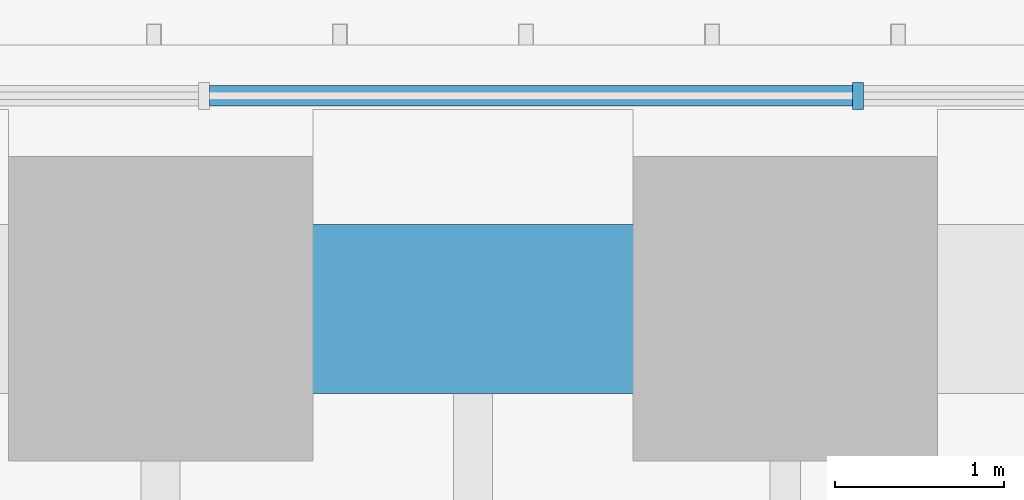
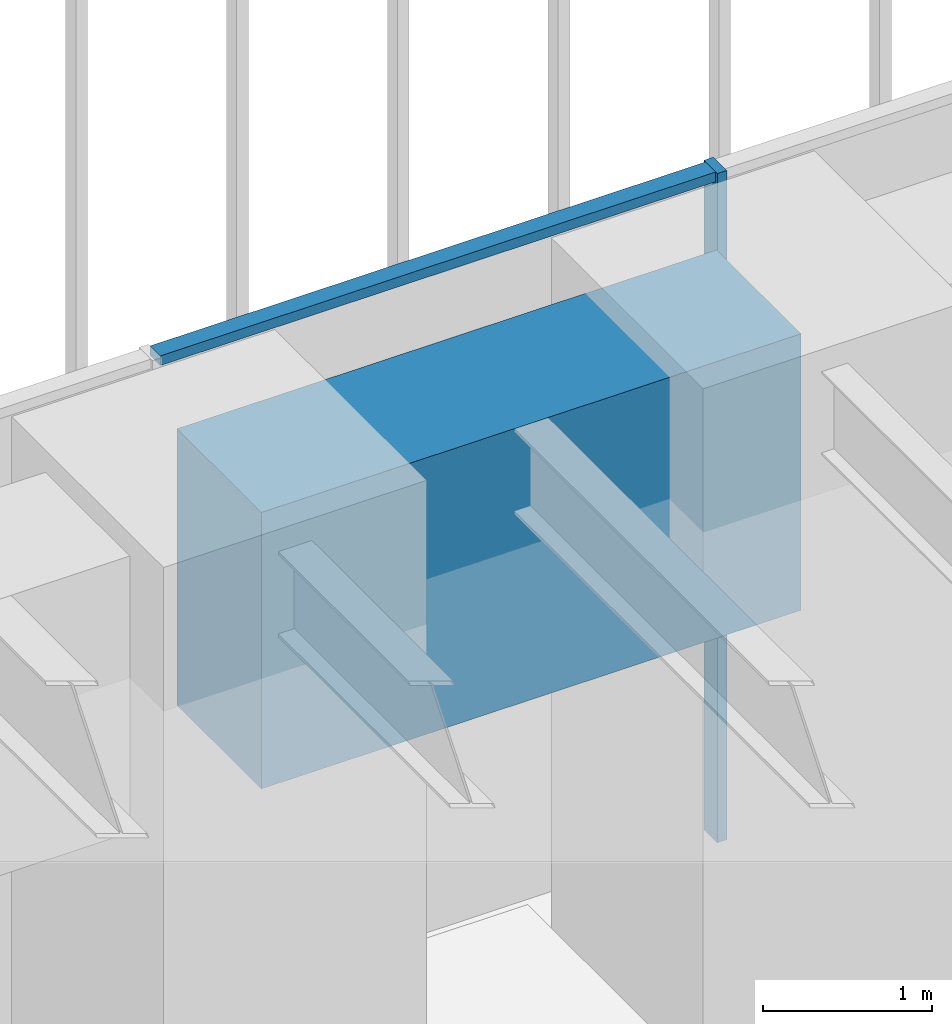
# One storey, part 205 of 228: 2 members, 1 beam, 1 element without a shape of its own.
"""IFC4 building model written with IfcOpenShell, lengths in metres."""

from ifc_helpers import new_model, si_unit, direction, frame, origin, origin_2d, place, context, subcontext, project, spatial, rectangle, extrude, material, material_profile, profile_set, type_object, element, aggregate, save


model = new_model("IFC4")

# Units and contexts
model_context = context("Model", 3, precision=1e-05, world=origin(), true_north=direction((0.0, 1.0)))
body_context = subcontext(model_context, "Body", "Model", "MODEL_VIEW")
ifc_project = project(units=[si_unit("LENGTHUNIT", "METRE"), si_unit("AREAUNIT", "SQUARE_METRE"), si_unit("VOLUMEUNIT", "CUBIC_METRE"), si_unit("PLANEANGLEUNIT", "RADIAN"), si_unit("MASSUNIT", "GRAM", prefix="KILO")], contexts=[model_context])

# Site, building, storey
site_placement = place(None, origin())
site = spatial("IfcSite", under=ifc_project, at=site_placement, CompositionType="ELEMENT")
building_placement = place(site_placement, origin())
building = spatial("IfcBuilding", under=site, at=building_placement, Name="Sandreach Pilgrim Tower", CompositionType="ELEMENT")
storey_placement = place(building_placement, frame((0.0, 0.0, 178.199951171875)))
storey = spatial("IfcBuildingStorey", under=building, at=storey_placement, Name="L44", CompositionType="ELEMENT", Elevation=178.199951171875)

# Curtain wall, members
ifc_material_1 = material(Name="Aluminium framed curtain wall", Category="aluminium")
curtain_wall_type = type_object("IfcCurtainWallType", Name="Upper hotel tower curtain wall", PredefinedType="NOTDEFINED", material=ifc_material_1)
curtain_wall_placement = place(storey_placement, origin())
curtain_wall = element("IfcCurtainWall", 1, at=curtain_wall_placement, inside=storey, type_object=curtain_wall_type, Name="CW-3 L44 N", PredefinedType="NOTDEFINED")
ifc_material_2 = material(Name="Aluminium extrusion", Category="aluminium")
ifc_material_profile_1 = material_profile(ifc_material_2, rectangle(XDim=0.06494140625, YDim=0.159912109375, at=origin_2d()), Name="CW-3M 65X160")
ifc_profile_set_1 = profile_set([ifc_material_profile_1], Name="Aluminium extrusion")
member_type_1 = type_object("IfcMemberType", Name="CW-3 mullion", PredefinedType="MULLION", material=ifc_profile_set_1)
member_1_placement = place(storey_placement, frame((9.6611328125, 21.16015625, 0.0), z_axis=(0.0, 0.0, 1.0), x_axis=(1.0, 0.0, 0.0)))
member_1 = element("IfcMember", 2, at=member_1_placement, type_object=member_type_1, Name="CW-3 mullion 8", PredefinedType="MULLION", context=body_context, shape_type="SweptSolid", body=[
    extrude(rectangle(XDim=0.06494140625, YDim=0.159912109375, at=origin_2d()), origin(), (0.0, 0.0, 1.0), 4.840087890625),
])
ifc_material_3 = material(Name="Aluminium extrusion", Category="aluminium")
ifc_material_profile_2 = material_profile(ifc_material_3, rectangle(XDim=0.1201171875, YDim=0.070068359375, at=origin_2d()), Name="CW-3T 120X70")
ifc_profile_set_2 = profile_set([ifc_material_profile_2], Name="Aluminium extrusion")
member_type_2 = type_object("IfcMemberType", Name="CW-3 transom", PredefinedType="USERDEFINED", material=ifc_profile_set_2)
member_2_placement = place(storey_placement, frame((5.8291015625, 21.16015625, 4.804931640625), z_axis=(1.0, 0.0, 0.0), x_axis=(0.0, 1.0, 0.0)))
member_2 = element("IfcMember", 3, at=member_2_placement, type_object=member_type_2, Name="CW-3 head transom 7", ObjectType="TRANSOM", PredefinedType="USERDEFINED", context=body_context, shape_type="SweptSolid", body=[
    extrude(rectangle(XDim=0.1201171875, YDim=0.070068359375, at=origin_2d()), origin(), (0.0, 0.0, 1.0), 3.799560546875),
])
aggregate(curtain_wall, [member_1, member_2])

# Beam
ifc_material_4 = material(Name="Concrete 10000 psi", Category="concrete")
ifc_material_profile_3 = material_profile(ifc_material_4, rectangle(XDim=1.0, YDim=2.0, at=origin_2d()), Name="RC1000X2000")
ifc_profile_set_3 = profile_set([ifc_material_profile_3], Name="Concrete 10000 psi")
beam_type = type_object("IfcBeamType", Name="Spandrel beam RC1000X2000", PredefinedType="SPANDREL", material=ifc_profile_set_3)
beam_placement = place(storey_placement, frame((5.538818359375, 19.900146484375, 3.840087890625), z_axis=(1.0, 0.0, 0.0), x_axis=(0.0, 1.0, 0.0)))
element("IfcBeam", 4, at=beam_placement, inside=storey, type_object=beam_type, Name="BM L44 SP06", PredefinedType="SPANDREL", context=body_context, shape_type="SweptSolid", body=[
    extrude(rectangle(XDim=1.0, YDim=2.0, at=origin_2d()), origin(), (0.0, 0.0, 1.0), 3.6923828125),
])

save(model, "model.ifc")
